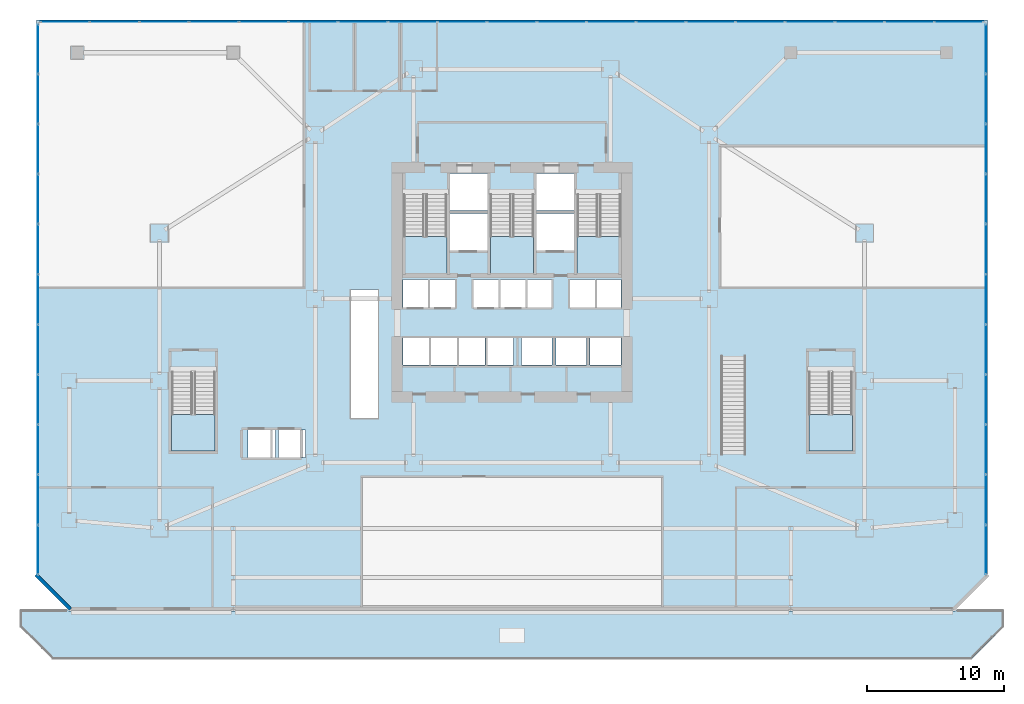
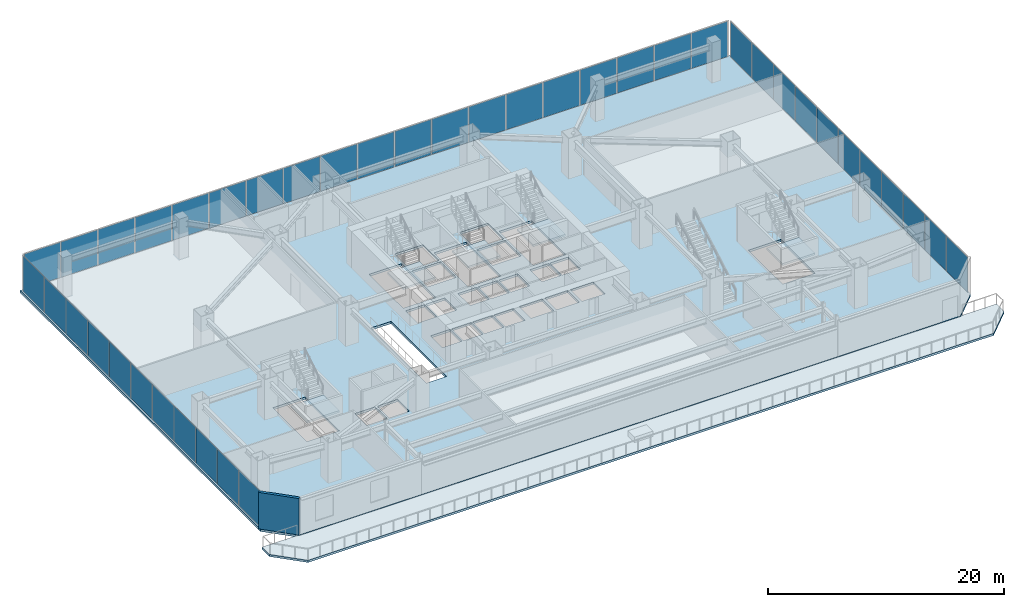
# One storey, part 22 of 32: 41 plates, 7 slabs, 1 wall, 8 elements without a shape of their own.
"""IFC4 building model written with IfcOpenShell, lengths in metres."""

from ifc_helpers import new_model, si_unit, direction, frame, frame_2d, origin, origin_2d, place, context, subcontext, project, spatial, polyline, rectangle, outline, extrude, material, layer, layer_set, type_object, element, aggregate, save


model = new_model("IFC4")

# Units and contexts
model_context = context("Model", 3, precision=1e-05, world=origin(), true_north=direction((0.0, 1.0)))
body_context = subcontext(model_context, "Body", "Model", "MODEL_VIEW")
ifc_project = project(units=[si_unit("LENGTHUNIT", "METRE"), si_unit("AREAUNIT", "SQUARE_METRE"), si_unit("VOLUMEUNIT", "CUBIC_METRE"), si_unit("PLANEANGLEUNIT", "RADIAN"), si_unit("MASSUNIT", "GRAM", prefix="KILO")], contexts=[model_context])

# Site, building, storey
site_placement = place(None, origin())
site = spatial("IfcSite", under=ifc_project, at=site_placement, CompositionType="ELEMENT")
building_placement = place(site_placement, origin())
building = spatial("IfcBuilding", under=site, at=building_placement, Name="Haolan Belvedere Tower", CompositionType="ELEMENT")
storey_placement = place(building_placement, frame((0.0, 0.0, 15.60009765625)))
storey = spatial("IfcBuildingStorey", under=building, at=storey_placement, Name="L03", CompositionType="ELEMENT", Elevation=15.60009765625)

# Curtain wall, plates
ifc_material_1 = material(Name="Anodised champagne-silver aluminium 6063-T6 and Low-E glass", Category="aluminium")
ifc_layer_1 = layer(ifc_material_1, 0.179931640625, Name="Anodised champagne-silver aluminium 6063-T6 and Low-E glass")
ifc_layer_set_1 = layer_set([ifc_layer_1], Name="Anodised champagne-silver aluminium 6063-T6 and Low-E glass")
curtain_wall_type = type_object("IfcCurtainWallType", Name="CW-SYS-01", PredefinedType="NOTDEFINED", material=ifc_layer_set_1)
curtain_wall_1_placement = place(storey_placement, origin())
curtain_wall_1 = element("IfcCurtainWall", 1, at=curtain_wall_1_placement, inside=storey, type_object=curtain_wall_type, Name="L03 CW-SYS-01 ribbon curtain wall 2.1", PredefinedType="NOTDEFINED")
ifc_material_2 = material(Name="Double silver Low-E laminated insulating glass", Category="glass")
ifc_layer_2 = layer(ifc_material_2, 0.028076171875, Name="Double silver Low-E laminated insulating glass")
ifc_layer_set_2 = layer_set([ifc_layer_2], Name="Double silver Low-E laminated insulating glass")
plate_type = type_object("IfcPlateType", Name="CW-SYS-01-PNL", PredefinedType="CURTAIN_PANEL", material=ifc_layer_set_2)
plate_1_placement = place(storey_placement, frame((73.070068359375, 15.243408203125, 0.06005859375), z_axis=(0.0, 0.0, 1.0), x_axis=(0.0, 1.0, 0.0)))
plate_1 = element("IfcPlate", 2, at=plate_1_placement, type_object=plate_type, Name="CW-01 panel 1.1", PredefinedType="CURTAIN_PANEL", context=body_context, shape_type="SweptSolid", body=[
    extrude(rectangle(XDim=3.5693359375, YDim=0.028076171875, at=origin_2d()), origin(), (0.0, 0.0, 1.0), 3.659912109375),
])
plate_2_placement = place(storey_placement, frame((73.070068359375, 18.894287109375, 0.06005859375), z_axis=(0.0, 0.0, 1.0), x_axis=(0.0, 1.0, 0.0)))
plate_2 = element("IfcPlate", 3, at=plate_2_placement, type_object=plate_type, Name="CW-01 panel 2.1", PredefinedType="CURTAIN_PANEL", context=body_context, shape_type="SweptSolid", body=[
    extrude(rectangle(XDim=3.601806640625, YDim=0.028076171875, at=origin_2d()), origin(), (0.0, 0.0, 1.0), 3.659912109375),
])
plate_3_placement = place(storey_placement, frame((73.070068359375, 22.56103515625, 0.06005859375), z_axis=(0.0, 0.0, 1.0), x_axis=(0.0, 1.0, 0.0)))
plate_3 = element("IfcPlate", 4, at=plate_3_placement, type_object=plate_type, Name="CW-01 panel 3.1", PredefinedType="CURTAIN_PANEL", context=body_context, shape_type="SweptSolid", body=[
    extrude(rectangle(XDim=3.601806640625, YDim=0.028076171875, at=origin_2d()), origin(), (0.0, 0.0, 1.0), 3.659912109375),
])
plate_4_placement = place(storey_placement, frame((73.070068359375, 26.22802734375, 0.06005859375), z_axis=(0.0, 0.0, 1.0), x_axis=(0.0, 1.0, 0.0)))
plate_4 = element("IfcPlate", 5, at=plate_4_placement, type_object=plate_type, Name="CW-01 panel 4.1", PredefinedType="CURTAIN_PANEL", context=body_context, shape_type="SweptSolid", body=[
    extrude(rectangle(XDim=3.601806640625, YDim=0.028076171875, at=origin_2d()), origin(), (0.0, 0.0, 1.0), 3.659912109375),
])
plate_5_placement = place(storey_placement, frame((73.070068359375, 29.89501953125, 0.06005859375), z_axis=(0.0, 0.0, 1.0), x_axis=(0.0, 1.0, 0.0)))
plate_5 = element("IfcPlate", 6, at=plate_5_placement, type_object=plate_type, Name="CW-01 panel 5.1", PredefinedType="CURTAIN_PANEL", context=body_context, shape_type="SweptSolid", body=[
    extrude(rectangle(XDim=3.601806640625, YDim=0.028076171875, at=origin_2d()), origin(), (0.0, 0.0, 1.0), 3.659912109375),
])
plate_6_placement = place(storey_placement, frame((73.070068359375, 33.56201171875, 0.06005859375), z_axis=(0.0, 0.0, 1.0), x_axis=(0.0, 1.0, 0.0)))
plate_6 = element("IfcPlate", 7, at=plate_6_placement, type_object=plate_type, Name="CW-01 panel 6.1", PredefinedType="CURTAIN_PANEL", context=body_context, shape_type="SweptSolid", body=[
    extrude(rectangle(XDim=3.601806640625, YDim=0.028076171875, at=origin_2d()), origin(), (0.0, 0.0, 1.0), 3.659912109375),
])
plate_7_placement = place(storey_placement, frame((73.070068359375, 37.228759765625, 0.06005859375), z_axis=(0.0, 0.0, 1.0), x_axis=(0.0, 1.0, 0.0)))
plate_7 = element("IfcPlate", 8, at=plate_7_placement, type_object=plate_type, Name="CW-01 panel 7.1", PredefinedType="CURTAIN_PANEL", context=body_context, shape_type="SweptSolid", body=[
    extrude(rectangle(XDim=3.601806640625, YDim=0.028076171875, at=origin_2d()), origin(), (0.0, 0.0, 1.0), 3.659912109375),
])
plate_8_placement = place(storey_placement, frame((73.070068359375, 40.895751953125, 0.06005859375), z_axis=(0.0, 0.0, 1.0), x_axis=(0.0, 1.0, 0.0)))
plate_8 = element("IfcPlate", 9, at=plate_8_placement, type_object=plate_type, Name="CW-01 panel 8.1", PredefinedType="CURTAIN_PANEL", context=body_context, shape_type="SweptSolid", body=[
    extrude(rectangle(XDim=3.601806640625, YDim=0.028076171875, at=origin_2d()), origin(), (0.0, 0.0, 1.0), 3.659912109375),
])
plate_9_placement = place(storey_placement, frame((73.070068359375, 44.562744140625, 0.06005859375), z_axis=(0.0, 0.0, 1.0), x_axis=(0.0, 1.0, 0.0)))
plate_9 = element("IfcPlate", 10, at=plate_9_placement, type_object=plate_type, Name="CW-01 panel 9.1", PredefinedType="CURTAIN_PANEL", context=body_context, shape_type="SweptSolid", body=[
    extrude(rectangle(XDim=3.601806640625, YDim=0.028076171875, at=origin_2d()), origin(), (0.0, 0.0, 1.0), 3.659912109375),
])
plate_10_placement = place(storey_placement, frame((73.070068359375, 48.2294921875, 0.06005859375), z_axis=(0.0, 0.0, 1.0), x_axis=(0.0, 1.0, 0.0)))
plate_10 = element("IfcPlate", 11, at=plate_10_placement, type_object=plate_type, Name="CW-01 panel 10.1", PredefinedType="CURTAIN_PANEL", context=body_context, shape_type="SweptSolid", body=[
    extrude(rectangle(XDim=3.601806640625, YDim=0.028076171875, at=origin_2d()), origin(), (0.0, 0.0, 1.0), 3.659912109375),
])
plate_11_placement = place(storey_placement, frame((73.070068359375, 51.88037109375, 0.06005859375), z_axis=(0.0, 0.0, 1.0), x_axis=(0.0, 1.0, 0.0)))
plate_11 = element("IfcPlate", 12, at=plate_11_placement, type_object=plate_type, Name="CW-01 panel 11.1", PredefinedType="CURTAIN_PANEL", context=body_context, shape_type="SweptSolid", body=[
    extrude(rectangle(XDim=3.5693359375, YDim=0.028076171875, at=origin_2d()), origin(), (0.0, 0.0, 1.0), 3.659912109375),
])
aggregate(curtain_wall_1, [plate_1, plate_2, plate_3, plate_4, plate_5, plate_6, plate_7, plate_8, plate_9, plate_10, plate_11])

curtain_wall_2_placement = place(storey_placement, origin())
curtain_wall_2 = element("IfcCurtainWall", 13, at=curtain_wall_2_placement, inside=storey, type_object=curtain_wall_type, Name="L03 CW-SYS-01 ribbon curtain wall 3.1", PredefinedType="NOTDEFINED")
plate_12_placement = place(storey_placement, frame((71.096435546875, 53.8701171875, 0.06005859375), z_axis=(0.0, 0.0, 1.0), x_axis=(-1.0, 0.0, 0.0)))
plate_12 = element("IfcPlate", 14, at=plate_12_placement, type_object=plate_type, Name="CW-01 panel 1.1", PredefinedType="CURTAIN_PANEL", context=body_context, shape_type="SweptSolid", body=[
    extrude(rectangle(XDim=3.537353515625, YDim=0.028076171875, at=origin_2d()), origin(), (0.0, 0.0, 1.0), 3.659912109375),
])
plate_13_placement = place(storey_placement, frame((67.477783203125, 53.8701171875, 0.06005859375), z_axis=(0.0, 0.0, 1.0), x_axis=(-1.0, 0.0, 0.0)))
plate_13 = element("IfcPlate", 15, at=plate_13_placement, type_object=plate_type, Name="CW-01 panel 2.1", PredefinedType="CURTAIN_PANEL", context=body_context, shape_type="SweptSolid", body=[
    extrude(rectangle(XDim=3.56982421875, YDim=0.028076171875, at=origin_2d()), origin(), (0.0, 0.0, 1.0), 3.659912109375),
])
plate_14_placement = place(storey_placement, frame((63.84326171875, 53.8701171875, 0.06005859375), z_axis=(0.0, 0.0, 1.0), x_axis=(-1.0, 0.0, 0.0)))
plate_14 = element("IfcPlate", 16, at=plate_14_placement, type_object=plate_type, Name="CW-01 panel 3.1", PredefinedType="CURTAIN_PANEL", context=body_context, shape_type="SweptSolid", body=[
    extrude(rectangle(XDim=3.56982421875, YDim=0.028076171875, at=origin_2d()), origin(), (0.0, 0.0, 1.0), 3.659912109375),
])
plate_15_placement = place(storey_placement, frame((60.20849609375, 53.8701171875, 0.06005859375), z_axis=(0.0, 0.0, 1.0), x_axis=(-1.0, 0.0, 0.0)))
plate_15 = element("IfcPlate", 17, at=plate_15_placement, type_object=plate_type, Name="CW-01 panel 4.1", PredefinedType="CURTAIN_PANEL", context=body_context, shape_type="SweptSolid", body=[
    extrude(rectangle(XDim=3.56982421875, YDim=0.028076171875, at=origin_2d()), origin(), (0.0, 0.0, 1.0), 3.659912109375),
])
plate_16_placement = place(storey_placement, frame((56.57373046875, 53.8701171875, 0.06005859375), z_axis=(0.0, 0.0, 1.0), x_axis=(-1.0, 0.0, 0.0)))
plate_16 = element("IfcPlate", 18, at=plate_16_placement, type_object=plate_type, Name="CW-01 panel 5.1", PredefinedType="CURTAIN_PANEL", context=body_context, shape_type="SweptSolid", body=[
    extrude(rectangle(XDim=3.56982421875, YDim=0.028076171875, at=origin_2d()), origin(), (0.0, 0.0, 1.0), 3.659912109375),
])
plate_17_placement = place(storey_placement, frame((52.93896484375, 53.8701171875, 0.06005859375), z_axis=(0.0, 0.0, 1.0), x_axis=(-1.0, 0.0, 0.0)))
plate_17 = element("IfcPlate", 19, at=plate_17_placement, type_object=plate_type, Name="CW-01 panel 6.1", PredefinedType="CURTAIN_PANEL", context=body_context, shape_type="SweptSolid", body=[
    extrude(rectangle(XDim=3.56982421875, YDim=0.028076171875, at=origin_2d()), origin(), (0.0, 0.0, 1.0), 3.659912109375),
])
plate_18_placement = place(storey_placement, frame((49.30419921875, 53.8701171875, 0.06005859375), z_axis=(0.0, 0.0, 1.0), x_axis=(-1.0, 0.0, 0.0)))
plate_18 = element("IfcPlate", 20, at=plate_18_placement, type_object=plate_type, Name="CW-01 panel 7.1", PredefinedType="CURTAIN_PANEL", context=body_context, shape_type="SweptSolid", body=[
    extrude(rectangle(XDim=3.56982421875, YDim=0.028076171875, at=origin_2d()), origin(), (0.0, 0.0, 1.0), 3.659912109375),
])
plate_19_placement = place(storey_placement, frame((45.66943359375, 53.8701171875, 0.06005859375), z_axis=(0.0, 0.0, 1.0), x_axis=(-1.0, 0.0, 0.0)))
plate_19 = element("IfcPlate", 21, at=plate_19_placement, type_object=plate_type, Name="CW-01 panel 8.1", PredefinedType="CURTAIN_PANEL", context=body_context, shape_type="SweptSolid", body=[
    extrude(rectangle(XDim=3.56982421875, YDim=0.028076171875, at=origin_2d()), origin(), (0.0, 0.0, 1.0), 3.659912109375),
])
plate_20_placement = place(storey_placement, frame((42.03466796875, 53.8701171875, 0.06005859375), z_axis=(0.0, 0.0, 1.0), x_axis=(-1.0, 0.0, 0.0)))
plate_20 = element("IfcPlate", 22, at=plate_20_placement, type_object=plate_type, Name="CW-01 panel 9.1", PredefinedType="CURTAIN_PANEL", context=body_context, shape_type="SweptSolid", body=[
    extrude(rectangle(XDim=3.56982421875, YDim=0.028076171875, at=origin_2d()), origin(), (0.0, 0.0, 1.0), 3.659912109375),
])
plate_21_placement = place(storey_placement, frame((38.39990234375, 53.8701171875, 0.06005859375), z_axis=(0.0, 0.0, 1.0), x_axis=(-1.0, 0.0, 0.0)))
plate_21 = element("IfcPlate", 23, at=plate_21_placement, type_object=plate_type, Name="CW-01 panel 10.1", PredefinedType="CURTAIN_PANEL", context=body_context, shape_type="SweptSolid", body=[
    extrude(rectangle(XDim=3.56982421875, YDim=0.028076171875, at=origin_2d()), origin(), (0.0, 0.0, 1.0), 3.659912109375),
])
plate_22_placement = place(storey_placement, frame((34.765380859375, 53.8701171875, 0.06005859375), z_axis=(0.0, 0.0, 1.0), x_axis=(-1.0, 0.0, 0.0)))
plate_22 = element("IfcPlate", 24, at=plate_22_placement, type_object=plate_type, Name="CW-01 panel 11.1", PredefinedType="CURTAIN_PANEL", context=body_context, shape_type="SweptSolid", body=[
    extrude(rectangle(XDim=3.56982421875, YDim=0.028076171875, at=origin_2d()), origin(), (0.0, 0.0, 1.0), 3.659912109375),
])
plate_23_placement = place(storey_placement, frame((31.130615234375, 53.8701171875, 0.06005859375), z_axis=(0.0, 0.0, 1.0), x_axis=(-1.0, 0.0, 0.0)))
plate_23 = element("IfcPlate", 25, at=plate_23_placement, type_object=plate_type, Name="CW-01 panel 12.1", PredefinedType="CURTAIN_PANEL", context=body_context, shape_type="SweptSolid", body=[
    extrude(rectangle(XDim=3.56982421875, YDim=0.028076171875, at=origin_2d()), origin(), (0.0, 0.0, 1.0), 3.659912109375),
])
plate_24_placement = place(storey_placement, frame((27.495849609375, 53.8701171875, 0.06005859375), z_axis=(0.0, 0.0, 1.0), x_axis=(-1.0, 0.0, 0.0)))
plate_24 = element("IfcPlate", 26, at=plate_24_placement, type_object=plate_type, Name="CW-01 panel 13.1", PredefinedType="CURTAIN_PANEL", context=body_context, shape_type="SweptSolid", body=[
    extrude(rectangle(XDim=3.56982421875, YDim=0.028076171875, at=origin_2d()), origin(), (0.0, 0.0, 1.0), 3.659912109375),
])
plate_25_placement = place(storey_placement, frame((23.861083984375, 53.8701171875, 0.06005859375), z_axis=(0.0, 0.0, 1.0), x_axis=(-1.0, 0.0, 0.0)))
plate_25 = element("IfcPlate", 27, at=plate_25_placement, type_object=plate_type, Name="CW-01 panel 14.1", PredefinedType="CURTAIN_PANEL", context=body_context, shape_type="SweptSolid", body=[
    extrude(rectangle(XDim=3.56982421875, YDim=0.028076171875, at=origin_2d()), origin(), (0.0, 0.0, 1.0), 3.659912109375),
])
plate_26_placement = place(storey_placement, frame((20.226318359375, 53.8701171875, 0.06005859375), z_axis=(0.0, 0.0, 1.0), x_axis=(-1.0, 0.0, 0.0)))
plate_26 = element("IfcPlate", 28, at=plate_26_placement, type_object=plate_type, Name="CW-01 panel 15.1", PredefinedType="CURTAIN_PANEL", context=body_context, shape_type="SweptSolid", body=[
    extrude(rectangle(XDim=3.56982421875, YDim=0.028076171875, at=origin_2d()), origin(), (0.0, 0.0, 1.0), 3.659912109375),
])
plate_27_placement = place(storey_placement, frame((16.591552734375, 53.8701171875, 0.06005859375), z_axis=(0.0, 0.0, 1.0), x_axis=(-1.0, 0.0, 0.0)))
plate_27 = element("IfcPlate", 29, at=plate_27_placement, type_object=plate_type, Name="CW-01 panel 16.1", PredefinedType="CURTAIN_PANEL", context=body_context, shape_type="SweptSolid", body=[
    extrude(rectangle(XDim=3.56982421875, YDim=0.028076171875, at=origin_2d()), origin(), (0.0, 0.0, 1.0), 3.659912109375),
])
plate_28_placement = place(storey_placement, frame((12.956787109375, 53.8701171875, 0.06005859375), z_axis=(0.0, 0.0, 1.0), x_axis=(-1.0, 0.0, 0.0)))
plate_28 = element("IfcPlate", 30, at=plate_28_placement, type_object=plate_type, Name="CW-01 panel 17.1", PredefinedType="CURTAIN_PANEL", context=body_context, shape_type="SweptSolid", body=[
    extrude(rectangle(XDim=3.56982421875, YDim=0.028076171875, at=origin_2d()), origin(), (0.0, 0.0, 1.0), 3.659912109375),
])
plate_29_placement = place(storey_placement, frame((9.322021484375, 53.8701171875, 0.06005859375), z_axis=(0.0, 0.0, 1.0), x_axis=(-1.0, 0.0, 0.0)))
plate_29 = element("IfcPlate", 31, at=plate_29_placement, type_object=plate_type, Name="CW-01 panel 18.1", PredefinedType="CURTAIN_PANEL", context=body_context, shape_type="SweptSolid", body=[
    extrude(rectangle(XDim=3.56982421875, YDim=0.028076171875, at=origin_2d()), origin(), (0.0, 0.0, 1.0), 3.659912109375),
])
plate_30_placement = place(storey_placement, frame((5.70361328125, 53.8701171875, 0.06005859375), z_axis=(0.0, 0.0, 1.0), x_axis=(-1.0, 0.0, 0.0)))
plate_30 = element("IfcPlate", 32, at=plate_30_placement, type_object=plate_type, Name="CW-01 panel 19.1", PredefinedType="CURTAIN_PANEL", context=body_context, shape_type="SweptSolid", body=[
    extrude(rectangle(XDim=3.537353515625, YDim=0.028076171875, at=origin_2d()), origin(), (0.0, 0.0, 1.0), 3.659912109375),
])
aggregate(curtain_wall_2, [plate_12, plate_13, plate_14, plate_15, plate_16, plate_17, plate_18, plate_19, plate_20, plate_21, plate_22, plate_23, plate_24, plate_25, plate_26, plate_27, plate_28, plate_29, plate_30])

curtain_wall_3_placement = place(storey_placement, origin())
curtain_wall_3 = element("IfcCurtainWall", 33, at=curtain_wall_3_placement, inside=storey, type_object=curtain_wall_type, Name="L03 CW-SYS-01 ribbon curtain wall 4.1", PredefinedType="NOTDEFINED")
plate_31_placement = place(storey_placement, frame((3.72998046875, 51.88037109375, 0.06005859375), z_axis=(0.0, 0.0, 1.0), x_axis=(0.0, -1.0, 0.0)))
plate_31 = element("IfcPlate", 34, at=plate_31_placement, type_object=plate_type, Name="CW-01 panel 1.1", PredefinedType="CURTAIN_PANEL", context=body_context, shape_type="SweptSolid", body=[
    extrude(rectangle(XDim=3.5693359375, YDim=0.028076171875, at=origin_2d()), origin(), (0.0, 0.0, 1.0), 3.659912109375),
])
plate_32_placement = place(storey_placement, frame((3.72998046875, 48.2294921875, 0.06005859375), z_axis=(0.0, 0.0, 1.0), x_axis=(0.0, -1.0, 0.0)))
plate_32 = element("IfcPlate", 35, at=plate_32_placement, type_object=plate_type, Name="CW-01 panel 2.1", PredefinedType="CURTAIN_PANEL", context=body_context, shape_type="SweptSolid", body=[
    extrude(rectangle(XDim=3.601806640625, YDim=0.028076171875, at=origin_2d()), origin(), (0.0, 0.0, 1.0), 3.659912109375),
])
plate_33_placement = place(storey_placement, frame((3.72998046875, 44.562744140625, 0.06005859375), z_axis=(0.0, 0.0, 1.0), x_axis=(0.0, -1.0, 0.0)))
plate_33 = element("IfcPlate", 36, at=plate_33_placement, type_object=plate_type, Name="CW-01 panel 3.1", PredefinedType="CURTAIN_PANEL", context=body_context, shape_type="SweptSolid", body=[
    extrude(rectangle(XDim=3.601806640625, YDim=0.028076171875, at=origin_2d()), origin(), (0.0, 0.0, 1.0), 3.659912109375),
])
plate_34_placement = place(storey_placement, frame((3.72998046875, 40.895751953125, 0.06005859375), z_axis=(0.0, 0.0, 1.0), x_axis=(0.0, -1.0, 0.0)))
plate_34 = element("IfcPlate", 37, at=plate_34_placement, type_object=plate_type, Name="CW-01 panel 4.1", PredefinedType="CURTAIN_PANEL", context=body_context, shape_type="SweptSolid", body=[
    extrude(rectangle(XDim=3.601806640625, YDim=0.028076171875, at=origin_2d()), origin(), (0.0, 0.0, 1.0), 3.659912109375),
])
plate_35_placement = place(storey_placement, frame((3.72998046875, 37.228759765625, 0.06005859375), z_axis=(0.0, 0.0, 1.0), x_axis=(0.0, -1.0, 0.0)))
plate_35 = element("IfcPlate", 38, at=plate_35_placement, type_object=plate_type, Name="CW-01 panel 5.1", PredefinedType="CURTAIN_PANEL", context=body_context, shape_type="SweptSolid", body=[
    extrude(rectangle(XDim=3.601806640625, YDim=0.028076171875, at=origin_2d()), origin(), (0.0, 0.0, 1.0), 3.659912109375),
])
plate_36_placement = place(storey_placement, frame((3.72998046875, 33.56201171875, 0.06005859375), z_axis=(0.0, 0.0, 1.0), x_axis=(0.0, -1.0, 0.0)))
plate_36 = element("IfcPlate", 39, at=plate_36_placement, type_object=plate_type, Name="CW-01 panel 6.1", PredefinedType="CURTAIN_PANEL", context=body_context, shape_type="SweptSolid", body=[
    extrude(rectangle(XDim=3.601806640625, YDim=0.028076171875, at=origin_2d()), origin(), (0.0, 0.0, 1.0), 3.659912109375),
])
plate_37_placement = place(storey_placement, frame((3.72998046875, 29.89501953125, 0.06005859375), z_axis=(0.0, 0.0, 1.0), x_axis=(0.0, -1.0, 0.0)))
plate_37 = element("IfcPlate", 40, at=plate_37_placement, type_object=plate_type, Name="CW-01 panel 7.1", PredefinedType="CURTAIN_PANEL", context=body_context, shape_type="SweptSolid", body=[
    extrude(rectangle(XDim=3.601806640625, YDim=0.028076171875, at=origin_2d()), origin(), (0.0, 0.0, 1.0), 3.659912109375),
])
plate_38_placement = place(storey_placement, frame((3.72998046875, 26.22802734375, 0.06005859375), z_axis=(0.0, 0.0, 1.0), x_axis=(0.0, -1.0, 0.0)))
plate_38 = element("IfcPlate", 41, at=plate_38_placement, type_object=plate_type, Name="CW-01 panel 8.1", PredefinedType="CURTAIN_PANEL", context=body_context, shape_type="SweptSolid", body=[
    extrude(rectangle(XDim=3.601806640625, YDim=0.028076171875, at=origin_2d()), origin(), (0.0, 0.0, 1.0), 3.659912109375),
])
plate_39_placement = place(storey_placement, frame((3.72998046875, 22.56103515625, 0.06005859375), z_axis=(0.0, 0.0, 1.0), x_axis=(0.0, -1.0, 0.0)))
plate_39 = element("IfcPlate", 42, at=plate_39_placement, type_object=plate_type, Name="CW-01 panel 9.1", PredefinedType="CURTAIN_PANEL", context=body_context, shape_type="SweptSolid", body=[
    extrude(rectangle(XDim=3.601806640625, YDim=0.028076171875, at=origin_2d()), origin(), (0.0, 0.0, 1.0), 3.659912109375),
])
plate_40_placement = place(storey_placement, frame((3.72998046875, 18.894287109375, 0.06005859375), z_axis=(0.0, 0.0, 1.0), x_axis=(0.0, -1.0, 0.0)))
plate_40 = element("IfcPlate", 43, at=plate_40_placement, type_object=plate_type, Name="CW-01 panel 10.1", PredefinedType="CURTAIN_PANEL", context=body_context, shape_type="SweptSolid", body=[
    extrude(rectangle(XDim=3.601806640625, YDim=0.028076171875, at=origin_2d()), origin(), (0.0, 0.0, 1.0), 3.659912109375),
])
plate_41_placement = place(storey_placement, frame((3.72998046875, 15.243408203125, 0.06005859375), z_axis=(0.0, 0.0, 1.0), x_axis=(0.0, -1.0, 0.0)))
plate_41 = element("IfcPlate", 44, at=plate_41_placement, type_object=plate_type, Name="CW-01 panel 11.1", PredefinedType="CURTAIN_PANEL", context=body_context, shape_type="SweptSolid", body=[
    extrude(rectangle(XDim=3.5693359375, YDim=0.028076171875, at=origin_2d()), origin(), (0.0, 0.0, 1.0), 3.659912109375),
])
aggregate(curtain_wall_3, [plate_31, plate_32, plate_33, plate_34, plate_35, plate_36, plate_37, plate_38, plate_39, plate_40, plate_41])

# Slab
ifc_material_3 = material(Name="Concrete C40/50", Category="concrete")
ifc_layer_3 = layer(ifc_material_3, 0.239990234375, Name="Concrete C40/50")
ifc_layer_set_3 = layer_set([ifc_layer_3], Name="Concrete C40/50")
slab_type_1 = type_object("IfcSlabType", Name="SL-FLR-240", PredefinedType="FLOOR", material=ifc_layer_set_3)
slab_1_placement = place(storey_placement, frame((0.0, 0.0, -0.239990234375)))
element("IfcSlab", 45, at=slab_1_placement, inside=storey, type_object=slab_type_1, Name="L03 structural floor slab", PredefinedType="FLOOR", context=body_context, shape_type="SweptSolid", body=[
    extrude(outline(polyline([(6.0, 10.800048828125), (70.800048828125, 10.800048828125), (73.199951171875, 13.199951171875), (73.199951171875, 54.0), (3.60009765625, 54.0), (3.60009765625, 13.199951171875), (6.0, 10.800048828125)]), holes=[polyline([(30.449951171875, 41.22998046875), (30.449951171875, 35.449951171875), (33.6298828125, 35.449951171875), (33.6298828125, 41.22998046875), (30.449951171875, 41.22998046875)]), polyline([(36.81005859375, 41.22998046875), (36.81005859375, 35.449951171875), (39.989990234375, 35.449951171875), (39.989990234375, 41.22998046875), (36.81005859375, 41.22998046875)]), polyline([(43.169921875, 41.22998046875), (43.169921875, 35.449951171875), (46.35009765625, 35.449951171875), (46.35009765625, 41.22998046875), (43.169921875, 41.22998046875)]), polyline([(13.5, 28.22998046875), (13.5, 22.449951171875), (16.679931640625, 22.449951171875), (16.679931640625, 28.22998046875), (13.5, 28.22998046875)]), polyline([(60.1201171875, 28.22998046875), (60.1201171875, 22.449951171875), (63.300048828125, 22.449951171875), (63.300048828125, 28.22998046875), (60.1201171875, 28.22998046875)]), polyline([(26.6201171875, 24.8798828125), (28.580078125, 24.8798828125), (28.580078125, 34.284912109375), (26.6201171875, 34.284912109375), (26.6201171875, 24.8798828125)]), polyline([(33.830078125, 40.050048828125), (36.610107421875, 40.050048828125), (36.610107421875, 42.75), (33.830078125, 42.75), (33.830078125, 40.050048828125)]), polyline([(33.830078125, 37.14990234375), (36.610107421875, 37.14990234375), (36.610107421875, 39.85009765625), (33.830078125, 39.85009765625), (33.830078125, 37.14990234375)]), polyline([(40.18994140625, 40.050048828125), (42.969970703125, 40.050048828125), (42.969970703125, 42.75), (40.18994140625, 42.75), (40.18994140625, 40.050048828125)]), polyline([(40.18994140625, 37.14990234375), (42.969970703125, 37.14990234375), (42.969970703125, 39.85009765625), (40.18994140625, 39.85009765625), (40.18994140625, 37.14990234375)]), polyline([(30.419921875, 32.949951171875), (32.27001953125, 32.949951171875), (32.27001953125, 35.0), (30.419921875, 35.0), (30.419921875, 32.949951171875)]), polyline([(32.409912109375, 32.949951171875), (34.260009765625, 32.949951171875), (34.260009765625, 35.0), (32.409912109375, 35.0), (32.409912109375, 32.949951171875)]), polyline([(35.56005859375, 32.949951171875), (37.409912109375, 32.949951171875), (37.409912109375, 35.0), (35.56005859375, 35.0), (35.56005859375, 32.949951171875)]), polyline([(37.550048828125, 32.949951171875), (39.39990234375, 32.949951171875), (39.39990234375, 35.0), (37.550048828125, 35.0), (37.550048828125, 32.949951171875)]), polyline([(39.5400390625, 32.949951171875), (41.389892578125, 32.949951171875), (41.389892578125, 35.0), (39.5400390625, 35.0), (39.5400390625, 32.949951171875)]), polyline([(42.6201171875, 32.949951171875), (44.469970703125, 32.949951171875), (44.469970703125, 35.0), (42.6201171875, 35.0), (42.6201171875, 32.949951171875)]), polyline([(44.580078125, 32.949951171875), (46.3798828125, 32.949951171875), (46.3798828125, 35.0), (44.580078125, 35.0), (44.580078125, 32.949951171875)]), polyline([(30.419921875, 28.75), (32.320068359375, 28.75), (32.320068359375, 30.75), (30.419921875, 30.75), (30.419921875, 28.75)]), polyline([(32.47998046875, 28.75), (34.3798828125, 28.75), (34.3798828125, 30.75), (32.47998046875, 30.75), (32.47998046875, 28.75)]), polyline([(34.5400390625, 28.75), (36.43994140625, 28.75), (36.43994140625, 30.75), (34.5400390625, 30.75), (34.5400390625, 28.75)]), polyline([(36.60009765625, 28.75), (38.5, 28.75), (38.5, 30.75), (36.60009765625, 30.75), (36.60009765625, 28.75)]), polyline([(39.10009765625, 28.75), (41.340087890625, 28.75), (41.340087890625, 30.75), (39.10009765625, 30.75), (39.10009765625, 28.75)]), polyline([(41.610107421875, 28.75), (43.85009765625, 28.75), (43.85009765625, 30.75), (41.610107421875, 30.75), (41.610107421875, 28.75)]), polyline([(44.1201171875, 28.75), (46.360107421875, 28.75), (46.360107421875, 30.75), (44.1201171875, 30.75), (44.1201171875, 28.75)]), polyline([(19.10009765625, 22.0), (21.10009765625, 22.0), (21.10009765625, 24.0), (19.10009765625, 24.0), (19.10009765625, 22.0)]), polyline([(21.300048828125, 22.0), (23.300048828125, 22.0), (23.300048828125, 24.0), (21.300048828125, 24.0), (21.300048828125, 22.0)])]), origin(), (0.0, 0.0, 1.0), 0.239990234375),
])

# Stair, slab
stair_type = type_object("IfcStairType", Name="STR-DL-24R-175", PredefinedType="HALF_TURN_STAIR", material=ifc_material_3)
stair_1_placement = place(storey_placement, origin())
stair_1 = element("IfcStair", 46, at=stair_1_placement, inside=storey, type_object=stair_type, Name="L03 Smokeproof Core Exit Stair ST1", PredefinedType="HALF_TURN_STAIR")
ifc_layer_4 = layer(ifc_material_3, 0.199951171875, Name="Concrete C40/50")
ifc_layer_set_4 = layer_set([ifc_layer_4], Name="Concrete C40/50")
slab_type_2 = type_object("IfcSlabType", Name="SL-LAND-200", PredefinedType="LANDING", material=ifc_layer_set_4)
slab_2_placement = place(storey_placement, frame((0.0, 0.0, 1.89990234375)))
slab_2 = element("IfcSlab", 47, at=slab_2_placement, type_object=slab_type_2, Name="ST1 landing 1", PredefinedType="LANDING", context=body_context, shape_type="SweptSolid", body=[
    extrude(outline(polyline([(30.449951171875, 38.14990234375), (30.449951171875, 35.449951171875), (33.6298828125, 35.449951171875), (33.6298828125, 38.14990234375), (30.449951171875, 38.14990234375)])), origin(), (0.0, 0.0, 1.0), 0.199951171875),
])
aggregate(stair_1, [slab_2])

stair_2_placement = place(storey_placement, origin())
stair_2 = element("IfcStair", 48, at=stair_2_placement, inside=storey, type_object=stair_type, Name="L03 Smokeproof Core Exit Stair ST3", PredefinedType="HALF_TURN_STAIR")
slab_3_placement = place(storey_placement, frame((0.0, 0.0, 1.89990234375)))
slab_3 = element("IfcSlab", 49, at=slab_3_placement, type_object=slab_type_2, Name="ST3 landing 1", PredefinedType="LANDING", context=body_context, shape_type="SweptSolid", body=[
    extrude(outline(polyline([(36.81005859375, 38.14990234375), (36.81005859375, 35.449951171875), (39.989990234375, 35.449951171875), (39.989990234375, 38.14990234375), (36.81005859375, 38.14990234375)])), origin(), (0.0, 0.0, 1.0), 0.199951171875),
])
aggregate(stair_2, [slab_3])

stair_3_placement = place(storey_placement, origin())
stair_3 = element("IfcStair", 50, at=stair_3_placement, inside=storey, type_object=stair_type, Name="L03 Smokeproof Core Exit Stair ST2", PredefinedType="HALF_TURN_STAIR")
slab_4_placement = place(storey_placement, frame((0.0, 0.0, 1.89990234375)))
slab_4 = element("IfcSlab", 51, at=slab_4_placement, type_object=slab_type_2, Name="ST2 landing 1", PredefinedType="LANDING", context=body_context, shape_type="SweptSolid", body=[
    extrude(outline(polyline([(43.169921875, 38.14990234375), (43.169921875, 35.449951171875), (46.35009765625, 35.449951171875), (46.35009765625, 38.14990234375), (43.169921875, 38.14990234375)])), origin(), (0.0, 0.0, 1.0), 0.199951171875),
])
aggregate(stair_3, [slab_4])

stair_4_placement = place(storey_placement, origin())
stair_4 = element("IfcStair", 52, at=stair_4_placement, inside=storey, type_object=stair_type, Name="L03 West Podium Protected Exit Stair ST4", PredefinedType="HALF_TURN_STAIR")
slab_5_placement = place(storey_placement, frame((0.0, 0.0, 1.89990234375)))
slab_5 = element("IfcSlab", 53, at=slab_5_placement, type_object=slab_type_2, Name="ST4 landing 1", PredefinedType="LANDING", context=body_context, shape_type="SweptSolid", body=[
    extrude(outline(polyline([(13.5, 25.14990234375), (13.5, 22.449951171875), (16.679931640625, 22.449951171875), (16.679931640625, 25.14990234375), (13.5, 25.14990234375)])), origin(), (0.0, 0.0, 1.0), 0.199951171875),
])
aggregate(stair_4, [slab_5])

stair_5_placement = place(storey_placement, origin())
stair_5 = element("IfcStair", 54, at=stair_5_placement, inside=storey, type_object=stair_type, Name="L03 East Podium Protected Exit Stair ST5", PredefinedType="HALF_TURN_STAIR")
slab_6_placement = place(storey_placement, frame((0.0, 0.0, 1.89990234375)))
slab_6 = element("IfcSlab", 55, at=slab_6_placement, type_object=slab_type_2, Name="ST5 landing 1", PredefinedType="LANDING", context=body_context, shape_type="SweptSolid", body=[
    extrude(outline(polyline([(60.1201171875, 25.14990234375), (60.1201171875, 22.449951171875), (63.300048828125, 22.449951171875), (63.300048828125, 25.14990234375), (60.1201171875, 25.14990234375)])), origin(), (0.0, 0.0, 1.0), 0.199951171875),
])
aggregate(stair_5, [slab_6])

# Slab
ifc_layer_5 = layer(ifc_material_3, 0.219970703125, Name="Concrete C40/50")
ifc_layer_set_5 = layer_set([ifc_layer_5], Name="Concrete C40/50")
slab_type_3 = type_object("IfcSlabType", Name="SL-TER-220", PredefinedType="FLOOR", material=ifc_layer_set_5)
slab_7_placement = place(storey_placement, frame((0.0, 0.0, -0.239990234375)))
element("IfcSlab", 56, at=slab_7_placement, inside=storey, type_object=slab_type_3, Name="L03 planted garden terrace slab 1", PredefinedType="FLOOR", context=body_context, shape_type="SweptSolid", body=[
    extrude(outline(polyline([(74.39990234375, 10.85009765625), (70.9208984375, 10.85009765625), (70.836669921875, 10.765869140625), (70.834228515625, 10.763671875), (70.82958984375, 10.760009765625), (70.82568359375, 10.757080078125), (70.8212890625, 10.7548828125), (70.81689453125, 10.7529296875), (70.81201171875, 10.751708984375), (70.807373046875, 10.750732421875), (70.801513671875, 10.75), (70.798095703125, 10.75), (6.001708984375, 10.75), (5.99853515625, 10.75), (5.99267578125, 10.750732421875), (5.98779296875, 10.751708984375), (5.983154296875, 10.7529296875), (5.978759765625, 10.7548828125), (5.974365234375, 10.757080078125), (5.97021484375, 10.760009765625), (5.9658203125, 10.763671875), (5.96337890625, 10.765869140625), (5.879150390625, 10.85009765625), (2.39990234375, 10.85009765625), (2.39990234375, 9.60009765625), (4.800048828125, 7.199951171875), (72.0, 7.199951171875), (74.39990234375, 9.60009765625), (74.39990234375, 10.85009765625)])), origin(), (0.0, 0.0, 1.0), 0.219970703125),
])

# Wall
ifc_material_4 = material(Name="Precast concrete C40/50", Category="concrete")
ifc_layer_6 = layer(ifc_material_4, 0.260009765625, Name="Precast concrete C40/50")
ifc_layer_set_6 = layer_set([ifc_layer_6], Name="Precast concrete C40/50")
wall_type = type_object("IfcWallType", Name="WL-EXT-260", PredefinedType="SOLIDWALL", material=ifc_layer_set_6)
wall_placement = place(storey_placement, frame((3.57080078125, 13.412841796875, 0.0), z_axis=(0.0, 0.0, 1.0), x_axis=(0.7071410079, -0.707072552817, 0.0)))
element("IfcWall", 57, at=wall_placement, inside=storey, type_object=wall_type, Name="L03 pale-metal exterior spandrel wall 5.1", PredefinedType="SOLIDWALL", context=body_context, shape_type="SweptSolid", body=[
    extrude(rectangle(XDim=3.56640625, YDim=0.260009765625, at=frame_2d((1.783203125, 0.0))), origin(), (0.0, 0.0, 1.0), 3.77978515625),
])

save(model, "model.ifc")
